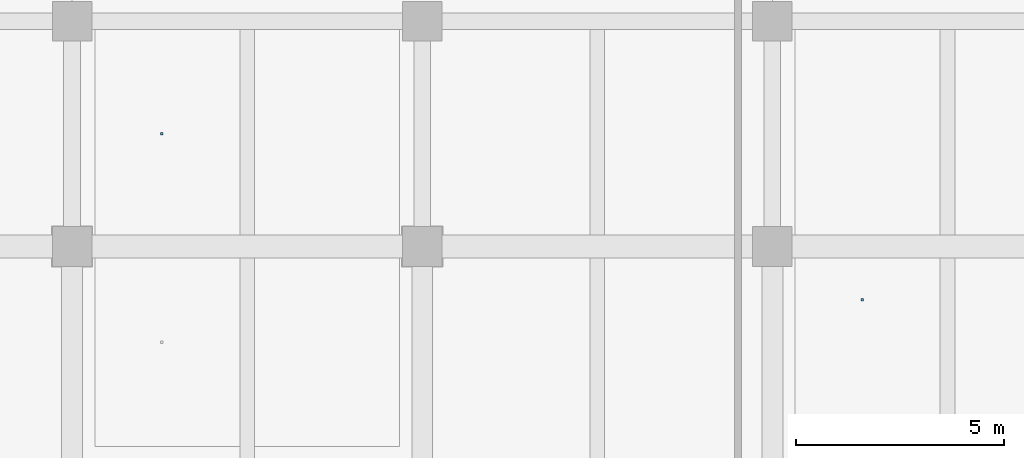
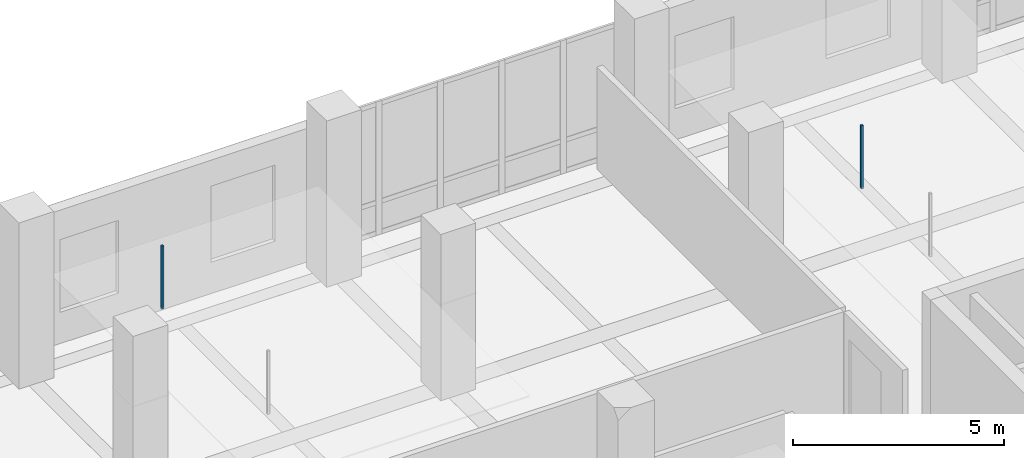
# One storey, part 66 of 128: 2 discrete accessories.
"""IFC4 building model written with IfcOpenShell, lengths in metres."""

import ifcopenshell
import ifcopenshell.guid

model = None  # the IFC model being written
_history = None  # IfcOwnerHistory: only IFC2X3 demands one
_inside = {}  # id of a spatial element -> (the spatial element, [elements in it])
_under = {}  # id of a project, library or spatial element -> (it, [spatial elements below it])
_declared = {}  # id of a project -> (the project, [libraries it declares])
_typed = {}  # id of a type object -> (the type object, [elements of that type])
_made_of = {}  # id of a material, layer set ... -> (it, [elements and type objects made of it])


def new_model(schema):
    """Start an empty IFC model of exactly this schema.

    Asked for "IFC4X3", IfcOpenShell would pick the latest addendum, in which some entities
    have other attributes; the version numbers below select the first issue.
    IFC2X3 requires an IfcOwnerHistory on every rooted entity: one is made here for all.
    """
    global model, _history
    if schema == "IFC4X3":
        model = ifcopenshell.file(schema_version=(4, 3, 0, 0))
    else:
        model = ifcopenshell.file(schema=schema)
    _inside.clear()
    _under.clear()
    _declared.clear()
    _typed.clear()
    _made_of.clear()
    _history = None
    if model.schema == "IFC2X3":
        org = make("IfcOrganization", Name="unknown")
        user = make(
            "IfcPersonAndOrganization",
            ThePerson=make("IfcPerson", FamilyName="unknown"),
            TheOrganization=org,
        )
        app = make(
            "IfcApplication",
            ApplicationDeveloper=org,
            Version="unknown",
            ApplicationFullName="unknown",
            ApplicationIdentifier="unknown",
        )
        _history = make(
            "IfcOwnerHistory",
            OwningUser=user,
            OwningApplication=app,
            ChangeAction="ADDED",
            CreationDate=0,
        )
    return model


def make(cls, **values):
    """One entity of the class cls with the attributes given. An attribute that is None is left unset."""
    return model.create_entity(
        cls, **{name: value for name, value in values.items() if value is not None}
    )


def rooted(cls, **values):
    """An entity with a GlobalId (a new one), such as an element, a storey or a relation."""
    return make(cls, GlobalId=ifcopenshell.guid.new(), OwnerHistory=_history, **values)


def si_unit(unit_type, name, prefix=None):
    """IfcSIUnit, for example si_unit("LENGTHUNIT", "METRE", prefix="MILLI")."""
    return make("IfcSIUnit", UnitType=unit_type, Prefix=prefix, Name=name)


def assignment(units):
    """IfcUnitAssignment: the units of a project."""
    return None if units is None else make("IfcUnitAssignment", Units=units)


def point(xyz):
    """IfcCartesianPoint."""
    return None if xyz is None else make("IfcCartesianPoint", Coordinates=xyz)


def direction(xyz):
    """IfcDirection."""
    return None if xyz is None else make("IfcDirection", DirectionRatios=xyz)


def frame(location, z_axis=None, x_axis=None):
    """IfcAxis2Placement3D, a coordinate frame: its origin and axes. An axis left out is left unset."""
    return make(
        "IfcAxis2Placement3D",
        Location=point(location),
        Axis=direction(z_axis),
        RefDirection=direction(x_axis),
    )


def frame_2d(location, x_axis=None):
    """IfcAxis2Placement2D, a coordinate frame in the plane: its origin and x axis."""
    return make(
        "IfcAxis2Placement2D", Location=point(location), RefDirection=direction(x_axis)
    )


def origin():
    """The frame at (0, 0, 0) with its axes left unset."""
    return frame((0.0, 0.0, 0.0))


def origin_2d():
    """The frame at (0, 0) in the plane with its x axis left unset."""
    return frame_2d((0.0, 0.0))


def place(relative_to, where):
    """IfcLocalPlacement: puts the frame where relative to a parent placement (None: the world)."""
    return make(
        "IfcLocalPlacement", PlacementRelTo=relative_to, RelativePlacement=where
    )


def context(
    kind, dimensions, precision=None, world=None, true_north=None, identifier=None
):
    """IfcGeometricRepresentationContext, for example the 3D "Model" context."""
    return make(
        "IfcGeometricRepresentationContext",
        ContextIdentifier=identifier,
        ContextType=kind,
        CoordinateSpaceDimension=dimensions,
        Precision=precision,
        WorldCoordinateSystem=world,
        TrueNorth=true_north,
    )


def subcontext(parent, identifier, kind, view, scale=None):
    """IfcGeometricRepresentationSubContext, for example "Body" below "Model"."""
    return make(
        "IfcGeometricRepresentationSubContext",
        ContextIdentifier=identifier,
        ContextType=kind,
        ParentContext=parent,
        TargetScale=scale,
        TargetView=view,
    )


def project(units=None, contexts=None):
    """IfcProject with its units and contexts."""
    return rooted(
        "IfcProject",
        Name="project",
        RepresentationContexts=contexts,
        UnitsInContext=assignment(units),
    )


def spatial(cls, under=None, at=None, **own):
    """A site, building, storey or space (cls), placed at a placement, below another one or the project."""
    s = rooted(cls, ObjectPlacement=at, **own)
    if under is not None:
        _under.setdefault(under.id(), (under, []))[1].append(s)
    return s


def profile(cls, at=None, kind="AREA", **sizes):
    """A parametric profile (cls). Its sizes go by their IFC names, for example OverallWidth=200.0."""
    return make(cls, ProfileType=kind, Position=at, **sizes)


def rectangle(**sizes):
    """IfcRectangleProfileDef."""
    return profile("IfcRectangleProfileDef", **sizes)


def extrude(swept, where, along, depth):
    """IfcExtrudedAreaSolid: the profile swept, set in the frame where, extruded along a direction by depth."""
    return make(
        "IfcExtrudedAreaSolid",
        SweptArea=swept,
        Position=where,
        ExtrudedDirection=direction(along),
        Depth=depth,
    )


def shape(context_of_items, identifier, shape_type, items):
    """IfcShapeRepresentation: the items that make up one representation, for example the "Body"."""
    return make(
        "IfcShapeRepresentation",
        ContextOfItems=context_of_items,
        RepresentationIdentifier=identifier,
        RepresentationType=shape_type,
        Items=items,
    )


def material(Name=None, Category=None):
    """IfcMaterial."""
    return make("IfcMaterial", Name=Name, Category=Category)


def made_of(thing, what):
    """Note that an element or type object is made of a material, layer set ...; save() writes the relation."""
    if what is not None:
        _made_of.setdefault(what.id(), (what, []))[1].append(thing)
    return thing


def type_object(cls, material=None, **own):
    """A type object (cls), such as IfcWallType, which elements share."""
    return made_of(rooted(cls, **own), material)


def element(
    cls,
    number,
    at=None,
    inside=None,
    cuts=None,
    type_object=None,
    material=None,
    context=None,
    identifier="Body",
    shape_type=None,
    held_by="IfcProductDefinitionShape",
    body=None,
    shapes=None,
    **own,
):
    """One element of the class cls, such as IfcWall. Its Tag is "e" and its number.

    at: its placement. inside: the storey or other place that contains it. cuts: it is an
    opening in that element (IfcRelVoidsElement). A single representation is given by context,
    identifier, shape_type and body (its items); several are given by shapes. held_by: the class
    of the entity that holds the representations. save() writes the other relations.
    """
    e = rooted(cls, Tag="e%d" % number, ObjectPlacement=at, **own)
    if body is not None:
        shapes = [shape(context, identifier, shape_type, body)]
    if shapes is not None:
        e.Representation = make(held_by, Representations=shapes)
    if inside is not None:
        _inside.setdefault(inside.id(), (inside, []))[1].append(e)
    if cuts is not None:
        rooted(
            "IfcRelVoidsElement", RelatingBuildingElement=cuts, RelatedOpeningElement=e
        )
    if type_object is not None:
        _typed.setdefault(type_object.id(), (type_object, []))[1].append(e)
    return made_of(e, material)


def aggregate(whole, parts):
    """IfcRelAggregates: a whole, such as a stair, and the parts it consists of."""
    return rooted("IfcRelAggregates", RelatingObject=whole, RelatedObjects=parts)


def save(model, path):
    """Write the relations noted so far, then the file.

    IfcRelAggregates (storeys below a building ...), IfcRelContainedInSpatialStructure (elements
    in a storey), IfcRelDefinesByType, IfcRelAssociatesMaterial and IfcRelDeclares: one each for
    every whole, place, type object, material and project.
    """
    for whole, parts in _under.values():
        aggregate(whole, parts)
    for where, things in _inside.values():
        rooted(
            "IfcRelContainedInSpatialStructure",
            RelatedElements=things,
            RelatingStructure=where,
        )
    for kind, things in _typed.values():
        rooted("IfcRelDefinesByType", RelatedObjects=things, RelatingType=kind)
    for what, things in _made_of.values():
        rooted("IfcRelAssociatesMaterial", RelatedObjects=things, RelatingMaterial=what)
    for by, libraries in _declared.values():
        rooted("IfcRelDeclares", RelatingContext=by, RelatedDefinitions=libraries)
    model.write(path)


model = new_model("IFC4")

# Units and contexts
model_context = context("Model", 3, precision=1e-05, world=origin(), true_north=direction((0.0, 1.0)))
body_context = subcontext(model_context, "Body", "Model", "MODEL_VIEW")
ifc_project = project(units=[si_unit("LENGTHUNIT", "METRE"), si_unit("AREAUNIT", "SQUARE_METRE"), si_unit("VOLUMEUNIT", "CUBIC_METRE"), si_unit("PLANEANGLEUNIT", "RADIAN"), si_unit("MASSUNIT", "GRAM", prefix="KILO")], contexts=[model_context])

# Site, building, storey
site_placement = place(None, origin())
site = spatial("IfcSite", under=ifc_project, at=site_placement, CompositionType="ELEMENT")
building_placement = place(site_placement, origin())
building = spatial("IfcBuilding", under=site, at=building_placement, Name="Telukmera Botanical Conservatory", CompositionType="ELEMENT")
storey_placement = place(building_placement, frame((0.0, 0.0, 5.39990234375)))
storey = spatial("IfcBuildingStorey", under=building, at=storey_placement, Name="L01", CompositionType="ELEMENT", Elevation=5.39990234375)

# Discrete accessories
ifc_material = material(Name="Steel S355", Category="steel")
discrete_accessory_type = type_object("IfcDiscreteAccessoryType", Name="ACC-CEIL-HGR", PredefinedType="BRACKET", material=ifc_material)
discrete_accessory_1_placement = place(storey_placement, frame((77.753173828125, 45.5, 2.76025390625), z_axis=(0.0, 0.0, 1.0), x_axis=(1.0, 0.0, 0.0)))
element("IfcDiscreteAccessory", 1, at=discrete_accessory_1_placement, inside=storey, type_object=discrete_accessory_type, Name="L01 Suspended Ceiling Hanger Rod 070-2", PredefinedType="BRACKET", context=body_context, shape_type="SweptSolid", body=[
    extrude(rectangle(XDim=0.06005859375, YDim=0.06005859375, at=origin_2d()), origin(), (0.0, 0.0, 1.0), 1.824951171875),
])
discrete_accessory_2_placement = place(storey_placement, frame((94.55322265625, 41.52490234375, 2.77001953125), z_axis=(0.0, 0.0, 1.0), x_axis=(1.0, 0.0, 0.0)))
element("IfcDiscreteAccessory", 2, at=discrete_accessory_2_placement, inside=storey, type_object=discrete_accessory_type, Name="L01 Suspended Ceiling Hanger Rod 071-2", PredefinedType="BRACKET", context=body_context, shape_type="SweptSolid", body=[
    extrude(rectangle(XDim=0.06005859375, YDim=0.06005859375, at=origin_2d()), origin(), (0.0, 0.0, 1.0), 1.81494140625),
])

save(model, "model.ifc")
